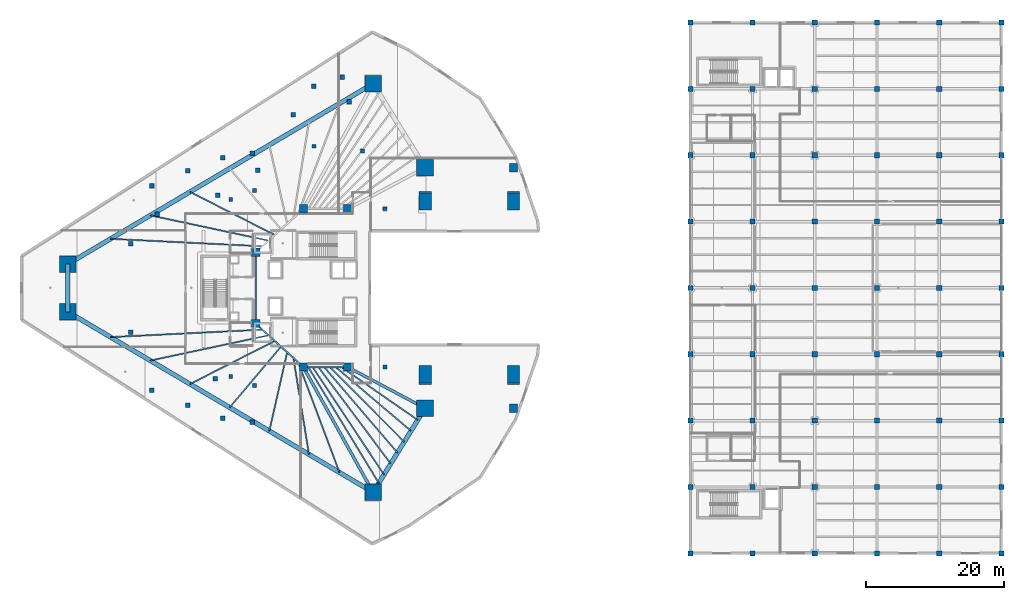
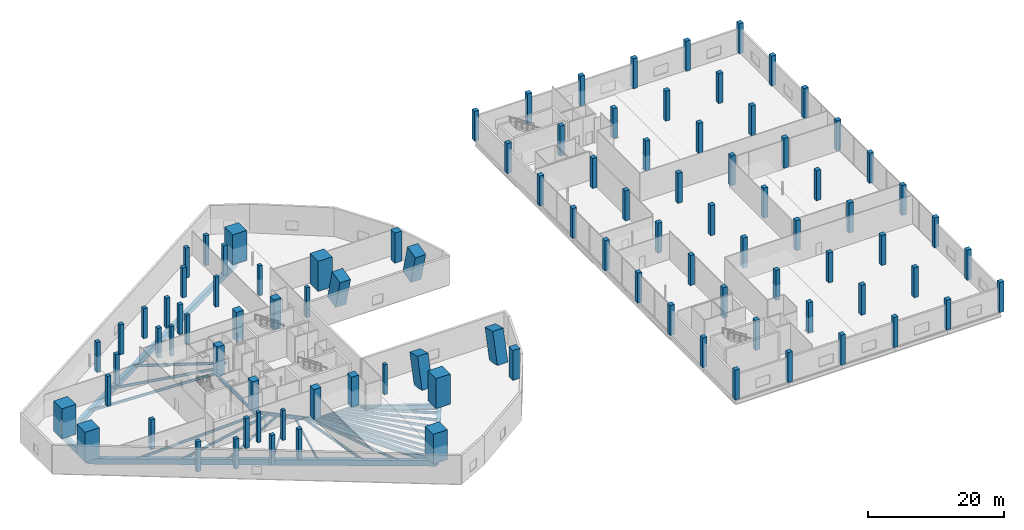
# One storey, part 1 of 47: 98 columns, 26 beams.
"""IFC4 building model written with IfcOpenShell, lengths in metres."""

from ifc_helpers import new_model, si_unit, direction, frame, origin, origin_2d, place, context, subcontext, project, spatial, rectangle, i_section, extrude, material, material_profile, profile_set, type_object, element, save


model = new_model("IFC4")

# Units and contexts
model_context = context("Model", 3, precision=1e-05, world=origin(), true_north=direction((0.0, 1.0)))
body_context = subcontext(model_context, "Body", "Model", "MODEL_VIEW")
ifc_project = project(units=[si_unit("LENGTHUNIT", "METRE"), si_unit("AREAUNIT", "SQUARE_METRE"), si_unit("VOLUMEUNIT", "CUBIC_METRE"), si_unit("PLANEANGLEUNIT", "RADIAN"), si_unit("MASSUNIT", "GRAM", prefix="KILO")], contexts=[model_context])

# Site, building, storey
site_placement = place(None, origin())
site = spatial("IfcSite", under=ifc_project, at=site_placement, CompositionType="ELEMENT")
building_placement = place(site_placement, origin())
building = spatial("IfcBuilding", under=site, at=building_placement, Name="Qorvath Tower", CompositionType="ELEMENT")
storey_placement = place(building_placement, frame((0.0, 0.0, 6.60009765625)))
storey = spatial("IfcBuildingStorey", under=building, at=storey_placement, Name="L01", CompositionType="ELEMENT", Elevation=6.60009765625)

# Columns
ifc_material_1 = material(Name="Concrete C70/85", Category="concrete")
ifc_material_profile_1 = material_profile(ifc_material_1, rectangle(XDim=1.800048828125, YDim=2.39990234375, at=origin_2d()), Name="ARCH 2400x1800")
ifc_profile_set_1 = profile_set([ifc_material_profile_1], Name="Concrete C70/85")
column_type_1 = type_object("IfcColumnType", Name="COL-ARCH1", PredefinedType="PILASTER", material=ifc_profile_set_1)
for number, where, z_axis, x_axis, name in (
    (1, (6.800048828125, 12.7861328125, 0.05322265625), (0.0, -0.250951313055, 0.967999709956), (1.0, 0.0, 0.0), "Giant Concrete Arch Rib Chord ARCH-FRONT-N-L01"),
    (2, (6.800048828125, -12.7861328125, 0.05322265625), (0.0, 0.250951313055, 0.967999709956), (-1.0, 0.0, 0.0), "Giant Concrete Arch Rib Chord ARCH-FRONT-S-L01"),
    (3, (-6.0, 12.7861328125, 0.05322265625), (0.0, -0.250951313055, 0.967999709956), (1.0, 0.0, 0.0), "Giant Concrete Arch Rib Chord ARCH-INNER-N-L01"),
    (4, (-6.0, -12.7861328125, 0.05322265625), (0.0, 0.250951313055, 0.967999709956), (-1.0, 0.0, 0.0), "Giant Concrete Arch Rib Chord ARCH-INNER-S-L01"),
):
    element("IfcColumn", number, at=place(storey_placement, frame(where, z_axis=z_axis, x_axis=x_axis)), inside=storey, type_object=column_type_1, Name=name, PredefinedType="PILASTER", context=body_context, shape_type="SweptSolid", body=[
        extrude(rectangle(XDim=1.800048828125, YDim=2.39990234375, at=origin_2d()), origin(), (0.0, 0.0, 1.0), 5.468505859375),
    ])
ifc_material_2 = material(Name="Concrete C70/85", Category="concrete")
ifc_material_profile_2 = material_profile(ifc_material_2, rectangle(XDim=2.39990234375, YDim=2.39990234375, at=origin_2d()), Name="MC 2400x2400")
ifc_profile_set_2 = profile_set([ifc_material_profile_2], Name="Concrete C70/85")
column_type_2 = type_object("IfcColumnType", Name="COL-MC1", PredefinedType="COLUMN", material=ifc_profile_set_2)
for number, where, z_axis, x_axis, name in (
    (5, (-57.679931640625, 3.4560546875, 0.0), (0.0, 0.0, 1.0), (1.0, 0.0, 0.0), "Composite Mega-Column MC1 L01"),
    (6, (-57.679931640625, -3.4560546875, 0.0), (0.0, 0.0, 1.0), (1.0, 0.0, 0.0), "Composite Mega-Column MC2 L01"),
    (7, (-13.52001953125, -29.568115234375, 0.0), (0.0, 0.0, 1.0), (1.0, 0.0, 0.0), "Composite Mega-Column MC3 L01"),
    (8, (-6.0, -17.39990234375, 0.0), (0.0, 0.0, 1.0), (1.0, 0.0, 0.0), "Composite Mega-Column MC4 L01"),
    (9, (-6.0, 17.39990234375, 0.0), (0.0, 0.0, 1.0), (1.0, 0.0, 0.0), "Composite Mega-Column MC5 L01"),
    (10, (-13.52001953125, 29.568115234375, 0.0), (0.0, 0.0, 1.0), (1.0, 0.0, 0.0), "Composite Mega-Column MC6 L01"),
):
    element("IfcColumn", number, at=place(storey_placement, frame(where, z_axis=z_axis, x_axis=x_axis)), inside=storey, type_object=column_type_2, Name=name, PredefinedType="COLUMN", context=body_context, shape_type="SweptSolid", body=[
        extrude(rectangle(XDim=2.39990234375, YDim=2.39990234375, at=origin_2d()), origin(), (0.0, 0.0, 1.0), 5.39990234375),
    ])
ifc_material_3 = material(Name="Concrete C60/75", Category="concrete")
ifc_material_profile_3 = material_profile(ifc_material_3, rectangle(XDim=1.199951171875, YDim=1.199951171875, at=origin_2d()), Name="RC 1200x1200")
ifc_profile_set_3 = profile_set([ifc_material_profile_3], Name="Concrete C60/75")
column_type_3 = type_object("IfcColumnType", Name="COL-RC1", PredefinedType="COLUMN", material=ifc_profile_set_3)
for number, where, z_axis, x_axis, name in (
    (11, (6.800048828125, 17.39990234375, 0.0), (0.0, 0.0, 1.0), (1.0, 0.0, 0.0), "Arch Portal Pier FRONT-N L01"),
    (12, (6.800048828125, -17.39990234375, 0.0), (0.0, 0.0, 1.0), (1.0, 0.0, 0.0), "Arch Portal Pier FRONT-S L01"),
    (13, (-23.60009765625, 11.449951171875, 0.0), (0.0, 0.0, 1.0), (1.0, 0.0, 0.0), "Core Spine Column CC1 L01"),
    (14, (-17.199951171875, 11.449951171875, 0.0), (0.0, 0.0, 1.0), (1.0, 0.0, 0.0), "Core Spine Column CC2 L01"),
    (15, (-17.199951171875, -11.449951171875, 0.0), (0.0, 0.0, 1.0), (1.0, 0.0, 0.0), "Core Spine Column CC3 L01"),
    (16, (-23.60009765625, -11.449951171875, 0.0), (0.0, 0.0, 1.0), (1.0, 0.0, 0.0), "Core Spine Column CC4 L01"),
    (17, (-30.5, 5.14990234375, 0.0), (0.0, 0.0, 1.0), (1.0, 0.0, 0.0), "Core Spine Column CC5 L01"),
    (18, (-30.5, -5.14990234375, 0.0), (0.0, 0.0, 1.0), (1.0, 0.0, 0.0), "Core Spine Column CC6 L01"),
):
    element("IfcColumn", number, at=place(storey_placement, frame(where, z_axis=z_axis, x_axis=x_axis)), inside=storey, type_object=column_type_3, Name=name, PredefinedType="COLUMN", context=body_context, shape_type="SweptSolid", body=[
        extrude(rectangle(XDim=1.199951171875, YDim=1.199951171875, at=origin_2d()), origin(), (0.0, 0.0, 1.0), 5.39990234375),
    ])
ifc_material_4 = material(Name="Concrete C45/55", Category="concrete")
ifc_material_profile_4 = material_profile(ifc_material_4, rectangle(XDim=0.75, YDim=0.75, at=origin_2d()), Name="RC 750x750")
ifc_profile_set_4 = profile_set([ifc_material_profile_4], Name="Concrete C45/55")
column_type_4 = type_object("IfcColumnType", Name="COL-RC5", PredefinedType="COLUMN", material=ifc_profile_set_4)
for number, where, z_axis, x_axis, name in (
    (19, (32.39990234375, -38.39990234375, 0.0), (0.0, 0.0, 1.0), (1.0, 0.0, 0.0), "Library Column 1-1 L01"),
    (20, (32.39990234375, -28.800048828125, 0.0), (0.0, 0.0, 1.0), (1.0, 0.0, 0.0), "Library Column 1-2 L01"),
    (21, (32.39990234375, -19.199951171875, 0.0), (0.0, 0.0, 1.0), (1.0, 0.0, 0.0), "Library Column 1-3 L01"),
    (22, (32.39990234375, -9.60009765625, 0.0), (0.0, 0.0, 1.0), (1.0, 0.0, 0.0), "Library Column 1-4 L01"),
    (23, (32.39990234375, 0.0, 0.0), (0.0, 0.0, 1.0), (1.0, 0.0, 0.0), "Library Column 1-5 L01"),
    (24, (32.39990234375, 9.60009765625, 0.0), (0.0, 0.0, 1.0), (1.0, 0.0, 0.0), "Library Column 1-6 L01"),
    (25, (32.39990234375, 19.199951171875, 0.0), (0.0, 0.0, 1.0), (1.0, 0.0, 0.0), "Library Column 1-7 L01"),
    (26, (32.39990234375, 28.800048828125, 0.0), (0.0, 0.0, 1.0), (1.0, 0.0, 0.0), "Library Column 1-8 L01"),
    (27, (32.39990234375, 38.39990234375, 0.0), (0.0, 0.0, 1.0), (1.0, 0.0, 0.0), "Library Column 1-9 L01"),
    (28, (41.39990234375, -38.39990234375, 0.0), (0.0, 0.0, 1.0), (1.0, 0.0, 0.0), "Library Column 2-1 L01"),
    (29, (41.39990234375, -28.800048828125, 0.0), (0.0, 0.0, 1.0), (1.0, 0.0, 0.0), "Library Column 2-2 L01"),
    (30, (41.39990234375, -19.199951171875, 0.0), (0.0, 0.0, 1.0), (1.0, 0.0, 0.0), "Library Column 2-3 L01"),
    (31, (41.39990234375, -9.60009765625, 0.0), (0.0, 0.0, 1.0), (1.0, 0.0, 0.0), "Library Column 2-4 L01"),
    (32, (41.39990234375, 0.0, 0.0), (0.0, 0.0, 1.0), (1.0, 0.0, 0.0), "Library Column 2-5 L01"),
    (33, (41.39990234375, 9.60009765625, 0.0), (0.0, 0.0, 1.0), (1.0, 0.0, 0.0), "Library Column 2-6 L01"),
    (34, (41.39990234375, 19.199951171875, 0.0), (0.0, 0.0, 1.0), (1.0, 0.0, 0.0), "Library Column 2-7 L01"),
    (35, (41.39990234375, 28.800048828125, 0.0), (0.0, 0.0, 1.0), (1.0, 0.0, 0.0), "Library Column 2-8 L01"),
    (36, (41.39990234375, 38.39990234375, 0.0), (0.0, 0.0, 1.0), (1.0, 0.0, 0.0), "Library Column 2-9 L01"),
    (37, (50.39990234375, -38.39990234375, 0.0), (0.0, 0.0, 1.0), (1.0, 0.0, 0.0), "Library Column 3-1 L01"),
    (38, (50.39990234375, -28.800048828125, 0.0), (0.0, 0.0, 1.0), (1.0, 0.0, 0.0), "Library Column 3-2 L01"),
    (39, (50.39990234375, -19.199951171875, 0.0), (0.0, 0.0, 1.0), (1.0, 0.0, 0.0), "Library Column 3-3 L01"),
    (40, (50.39990234375, -9.60009765625, 0.0), (0.0, 0.0, 1.0), (1.0, 0.0, 0.0), "Library Column 3-4 L01"),
    (41, (50.39990234375, 0.0, 0.0), (0.0, 0.0, 1.0), (1.0, 0.0, 0.0), "Library Column 3-5 L01"),
    (42, (50.39990234375, 9.60009765625, 0.0), (0.0, 0.0, 1.0), (1.0, 0.0, 0.0), "Library Column 3-6 L01"),
    (43, (50.39990234375, 19.199951171875, 0.0), (0.0, 0.0, 1.0), (1.0, 0.0, 0.0), "Library Column 3-7 L01"),
    (44, (50.39990234375, 28.800048828125, 0.0), (0.0, 0.0, 1.0), (1.0, 0.0, 0.0), "Library Column 3-8 L01"),
    (45, (50.39990234375, 38.39990234375, 0.0), (0.0, 0.0, 1.0), (1.0, 0.0, 0.0), "Library Column 3-9 L01"),
    (46, (59.39990234375, -38.39990234375, 0.0), (0.0, 0.0, 1.0), (1.0, 0.0, 0.0), "Library Column 4-1 L01"),
    (47, (59.39990234375, -28.800048828125, 0.0), (0.0, 0.0, 1.0), (1.0, 0.0, 0.0), "Library Column 4-2 L01"),
    (48, (59.39990234375, -19.199951171875, 0.0), (0.0, 0.0, 1.0), (1.0, 0.0, 0.0), "Library Column 4-3 L01"),
    (49, (59.39990234375, -9.60009765625, 0.0), (0.0, 0.0, 1.0), (1.0, 0.0, 0.0), "Library Column 4-4 L01"),
    (50, (59.39990234375, 0.0, 0.0), (0.0, 0.0, 1.0), (1.0, 0.0, 0.0), "Library Column 4-5 L01"),
    (51, (59.39990234375, 9.60009765625, 0.0), (0.0, 0.0, 1.0), (1.0, 0.0, 0.0), "Library Column 4-6 L01"),
    (52, (59.39990234375, 19.199951171875, 0.0), (0.0, 0.0, 1.0), (1.0, 0.0, 0.0), "Library Column 4-7 L01"),
    (53, (59.39990234375, 28.800048828125, 0.0), (0.0, 0.0, 1.0), (1.0, 0.0, 0.0), "Library Column 4-8 L01"),
    (54, (59.39990234375, 38.39990234375, 0.0), (0.0, 0.0, 1.0), (1.0, 0.0, 0.0), "Library Column 4-9 L01"),
    (55, (68.39990234375, -38.39990234375, 0.0), (0.0, 0.0, 1.0), (1.0, 0.0, 0.0), "Library Column 5-1 L01"),
    (56, (68.39990234375, -28.800048828125, 0.0), (0.0, 0.0, 1.0), (1.0, 0.0, 0.0), "Library Column 5-2 L01"),
    (57, (68.39990234375, -19.199951171875, 0.0), (0.0, 0.0, 1.0), (1.0, 0.0, 0.0), "Library Column 5-3 L01"),
    (58, (68.39990234375, -9.60009765625, 0.0), (0.0, 0.0, 1.0), (1.0, 0.0, 0.0), "Library Column 5-4 L01"),
    (59, (68.39990234375, 0.0, 0.0), (0.0, 0.0, 1.0), (1.0, 0.0, 0.0), "Library Column 5-5 L01"),
    (60, (68.39990234375, 9.60009765625, 0.0), (0.0, 0.0, 1.0), (1.0, 0.0, 0.0), "Library Column 5-6 L01"),
    (61, (68.39990234375, 19.199951171875, 0.0), (0.0, 0.0, 1.0), (1.0, 0.0, 0.0), "Library Column 5-7 L01"),
    (62, (68.39990234375, 28.800048828125, 0.0), (0.0, 0.0, 1.0), (1.0, 0.0, 0.0), "Library Column 5-8 L01"),
    (63, (68.39990234375, 38.39990234375, 0.0), (0.0, 0.0, 1.0), (1.0, 0.0, 0.0), "Library Column 5-9 L01"),
    (64, (77.39990234375, -38.39990234375, 0.0), (0.0, 0.0, 1.0), (1.0, 0.0, 0.0), "Library Column 6-1 L01"),
    (65, (77.39990234375, -28.800048828125, 0.0), (0.0, 0.0, 1.0), (1.0, 0.0, 0.0), "Library Column 6-2 L01"),
    (66, (77.39990234375, -19.199951171875, 0.0), (0.0, 0.0, 1.0), (1.0, 0.0, 0.0), "Library Column 6-3 L01"),
    (67, (77.39990234375, -9.60009765625, 0.0), (0.0, 0.0, 1.0), (1.0, 0.0, 0.0), "Library Column 6-4 L01"),
    (68, (77.39990234375, 0.0, 0.0), (0.0, 0.0, 1.0), (1.0, 0.0, 0.0), "Library Column 6-5 L01"),
    (69, (77.39990234375, 9.60009765625, 0.0), (0.0, 0.0, 1.0), (1.0, 0.0, 0.0), "Library Column 6-6 L01"),
    (70, (77.39990234375, 19.199951171875, 0.0), (0.0, 0.0, 1.0), (1.0, 0.0, 0.0), "Library Column 6-7 L01"),
    (71, (77.39990234375, 28.800048828125, 0.0), (0.0, 0.0, 1.0), (1.0, 0.0, 0.0), "Library Column 6-8 L01"),
    (72, (77.39990234375, 38.39990234375, 0.0), (0.0, 0.0, 1.0), (1.0, 0.0, 0.0), "Library Column 6-9 L01"),
):
    element("IfcColumn", number, at=place(storey_placement, frame(where, z_axis=z_axis, x_axis=x_axis)), inside=storey, type_object=column_type_4, Name=name, PredefinedType="COLUMN", context=body_context, shape_type="SweptSolid", body=[
        extrude(rectangle(XDim=0.75, YDim=0.75, at=origin_2d()), origin(), (0.0, 0.0, 1.0), 5.39990234375),
    ])
ifc_material_5 = material(Name="Concrete C45/55", Category="concrete")
ifc_material_profile_5 = material_profile(ifc_material_5, rectangle(XDim=0.64990234375, YDim=0.64990234375, at=origin_2d()), Name="RC 650x650")
ifc_profile_set_5 = profile_set([ifc_material_profile_5], Name="Concrete C45/55")
column_type_5 = type_object("IfcColumnType", Name="COL-RC6", PredefinedType="COLUMN", material=ifc_profile_set_5)
for number, where, z_axis, x_axis, name in (
    (73, (-45.536376953125, 14.774658203125, 0.0), (0.0, 0.0, 1.0), (1.0, 0.0, 0.0), "Loggia Frame Pier Column LGA1 L01"),
    (74, (-45.536376953125, -14.774658203125, 0.0), (0.0, 0.0, 1.0), (1.0, 0.0, 0.0), "Loggia Frame Pier Column LGA2 L01"),
    (75, (-22.13134765625, 29.20556640625, 0.0), (0.0, 0.0, 1.0), (1.0, 0.0, 0.0), "Loggia Frame Pier Column LGA3 L01"),
    (76, (-40.33251953125, 16.955810546875, 0.0), (0.0, 0.0, 1.0), (1.0, 0.0, 0.0), "Loggia Frame Pier Column LGB1 L01"),
    (77, (-40.33251953125, -16.955810546875, 0.0), (0.0, 0.0, 1.0), (1.0, 0.0, 0.0), "Loggia Frame Pier Column LGB2 L01"),
    (78, (-18.0, 30.5, 0.0), (0.0, 0.0, 1.0), (1.0, 0.0, 0.0), "Loggia Frame Pier Column LGB3 L01"),
    (79, (-35.251708984375, 18.829345703125, 0.0), (0.0, 0.0, 1.0), (1.0, 0.0, 0.0), "Loggia Frame Pier Column LGC1 L01"),
    (80, (-35.251708984375, -18.829345703125, 0.0), (0.0, 0.0, 1.0), (1.0, 0.0, 0.0), "Loggia Frame Pier Column LGC2 L01"),
    (81, (-25.03759765625, 25.058837890625, 0.0), (0.0, 0.0, 1.0), (1.0, 0.0, 0.0), "Loggia Frame Pier Column LGC3 L01"),
    (82, (-31.01611328125, 19.46044921875, 0.0), (0.0, 0.0, 1.0), (1.0, 0.0, 0.0), "Loggia Frame Pier Column LGD1 L01"),
    (83, (-31.01611328125, -19.46044921875, 0.0), (0.0, 0.0, 1.0), (1.0, 0.0, 0.0), "Loggia Frame Pier Column LGD2 L01"),
    (84, (-44.736328125, 10.65234375, 0.0), (0.0, 0.0, 1.0), (1.0, 0.0, 0.0), "Loggia Frame Pier Column LGD3 L01"),
    (85, (-48.578369140625, 6.424560546875, 0.0), (0.0, 0.0, 1.0), (1.0, 0.0, 0.0), "Loggia Frame Pier Column LGE1 L01"),
    (86, (-48.578369140625, -6.424560546875, 0.0), (0.0, 0.0, 1.0), (1.0, 0.0, 0.0), "Loggia Frame Pier Column LGE2 L01"),
    (87, (-16.981201171875, 26.92919921875, 0.0), (0.0, 0.0, 1.0), (1.0, 0.0, 0.0), "Loggia Frame Pier Column LGE3 L01"),
    (88, (-35.980712890625, 13.380859375, 0.0), (0.0, 0.0, 1.0), (1.0, 0.0, 0.0), "Loggia Frame Pier Column LGF1 L01"),
    (89, (-36.36474609375, -13.135498046875, 0.0), (0.0, 0.0, 1.0), (1.0, 0.0, 0.0), "Loggia Frame Pier Column LGF2 L01"),
    (90, (-30.224853515625, 17.0595703125, 0.0), (0.0, 0.0, 1.0), (1.0, 0.0, 0.0), "Loggia Frame Pier Column LGF3 L01"),
):
    element("IfcColumn", number, at=place(storey_placement, frame(where, z_axis=z_axis, x_axis=x_axis)), inside=storey, type_object=column_type_5, Name=name, PredefinedType="COLUMN", context=body_context, shape_type="SweptSolid", body=[
        extrude(rectangle(XDim=0.64990234375, YDim=0.64990234375, at=origin_2d()), origin(), (0.0, 0.0, 1.0), 5.39990234375),
    ])
ifc_material_6 = material(Name="Concrete C45/55", Category="concrete")
ifc_material_profile_6 = material_profile(ifc_material_6, rectangle(XDim=0.550048828125, YDim=0.550048828125, at=origin_2d()), Name="RC 550x550")
ifc_profile_set_6 = profile_set([ifc_material_profile_6], Name="Concrete C45/55")
column_type_6 = type_object("IfcColumnType", Name="COL-RC7", PredefinedType="COLUMN", material=ifc_profile_set_6)
for number, where, z_axis, x_axis, name in (
    (91, (-34.104248046875, 12.79248046875, 0.0), (0.0, 0.0, 1.0), (1.0, 0.0, 0.0), "Loggia Frame Pier Column LGG1 L01"),
    (92, (-34.104248046875, -12.79248046875, 0.0), (0.0, 0.0, 1.0), (1.0, 0.0, 0.0), "Loggia Frame Pier Column LGG2 L01"),
    (93, (-22.05322265625, 20.494873046875, 0.0), (0.0, 0.0, 1.0), (1.0, 0.0, 0.0), "Loggia Frame Pier Column LGG3 L01"),
    (94, (-30.67724609375, 14.124267578125, 0.0), (0.0, 0.0, 1.0), (1.0, 0.0, 0.0), "Loggia Frame Pier Column LGH1 L01"),
    (95, (-30.67724609375, -14.124267578125, 0.0), (0.0, 0.0, 1.0), (1.0, 0.0, 0.0), "Loggia Frame Pier Column LGH2 L01"),
    (96, (-15.046142578125, 19.818115234375, 0.0), (0.0, 0.0, 1.0), (1.0, 0.0, 0.0), "Loggia Frame Pier Column LGH3 L01"),
    (97, (-11.800048828125, -11.449951171875, 0.0), (0.0, 0.0, 1.0), (1.0, 0.0, 0.0), "Central Slot Jamb Column SC1 L01"),
    (98, (-11.800048828125, 11.449951171875, 0.0), (0.0, 0.0, 1.0), (1.0, 0.0, 0.0), "Central Slot Jamb Column SC2 L01"),
):
    element("IfcColumn", number, at=place(storey_placement, frame(where, z_axis=z_axis, x_axis=x_axis)), inside=storey, type_object=column_type_6, Name=name, PredefinedType="COLUMN", context=body_context, shape_type="SweptSolid", body=[
        extrude(rectangle(XDim=0.550048828125, YDim=0.550048828125, at=origin_2d()), origin(), (0.0, 0.0, 1.0), 5.39990234375),
    ])

# Beams
ifc_material_7 = material(Name="Steel ASTM A992 Grade 50", Category="steel")
ifc_material_profile_7 = material_profile(ifc_material_7, i_section(OverallWidth=0.422119140625, OverallDepth=0.93310546875, WebThickness=0.021240234375, FlangeThickness=0.039794921875, FilletRadius=0.02392578125, at=origin_2d()), Name="W36x262")
ifc_profile_set_7 = profile_set([ifc_material_profile_7], Name="Steel ASTM A992 Grade 50")
beam_type_1 = type_object("IfcBeamType", Name="BM-FG1", PredefinedType="BEAM", material=ifc_profile_set_7)
beam_1_placement = place(storey_placement, frame((-17.199951171875, -11.449951171875, -0.7265625), z_axis=(0.883116467191, -0.469153818461, 0.0), x_axis=(0.469153818461, 0.883116467191, 0.0)))
element("IfcBeam", 99, at=beam_1_placement, inside=storey, type_object=beam_type_1, Name="Radial Floor Girder CC3-MC4 L01", PredefinedType="BEAM", context=body_context, shape_type="SweptSolid", body=[
    extrude(i_section(OverallWidth=0.422119140625, OverallDepth=0.93310546875, WebThickness=0.021240234375, FlangeThickness=0.039794921875, FilletRadius=0.02392578125, at=origin_2d()), origin(), (0.0, 0.0, 1.0), 12.682373046875),
])
beam_2_placement = place(storey_placement, frame((-23.60009765625, -11.449951171875, -0.7265625), z_axis=(0.486174725137, -0.873861623278, 0.0), x_axis=(0.873861623278, 0.486174725137, 0.0)))
element("IfcBeam", 100, at=beam_2_placement, inside=storey, type_object=beam_type_1, Name="Radial Floor Girder CC4-MC3 L01", PredefinedType="BEAM", context=body_context, shape_type="SweptSolid", body=[
    extrude(i_section(OverallWidth=0.422119140625, OverallDepth=0.93310546875, WebThickness=0.021240234375, FlangeThickness=0.039794921875, FilletRadius=0.02392578125, at=origin_2d()), origin(), (0.0, 0.0, 1.0), 20.7333984375),
])
ifc_material_8 = material(Name="Steel ASTM A992 Grade 50", Category="steel")
ifc_material_profile_8 = material_profile(ifc_material_8, i_section(OverallWidth=0.22998046875, OverallDepth=0.616943359375, WebThickness=0.01318359375, FlangeThickness=0.022216796875, FilletRadius=0.014892578125, at=origin_2d()), Name="W24x94")
ifc_profile_set_8 = profile_set([ifc_material_profile_8], Name="Steel ASTM A992 Grade 50")
beam_type_2 = type_object("IfcBeamType", Name="BM-FG6", PredefinedType="BEAM", material=ifc_profile_set_8)
beam_3_placement = place(storey_placement, frame((-17.199951171875, -11.449951171875, -0.568603515625), z_axis=(-1.0, 0.0, 0.0), x_axis=(0.0, -1.0, 0.0)))
element("IfcBeam", 101, at=beam_3_placement, inside=storey, type_object=beam_type_2, Name="Core Ring Girder CC3-CC4 L01", PredefinedType="BEAM", context=body_context, shape_type="SweptSolid", body=[
    extrude(i_section(OverallWidth=0.22998046875, OverallDepth=0.616943359375, WebThickness=0.01318359375, FlangeThickness=0.022216796875, FilletRadius=0.014892578125, at=origin_2d()), origin(), (0.0, 0.0, 1.0), 6.400146484375),
])
beam_4_placement = place(storey_placement, frame((-23.60009765625, -11.449951171875, -0.568603515625), z_axis=(-0.73847813985, 0.6742774184, 0.0), x_axis=(-0.6742774184, -0.73847813985, 0.0)))
element("IfcBeam", 102, at=beam_4_placement, inside=storey, type_object=beam_type_2, Name="Core Ring Girder CC4-CC6 L01", PredefinedType="BEAM", context=body_context, shape_type="SweptSolid", body=[
    extrude(i_section(OverallWidth=0.22998046875, OverallDepth=0.616943359375, WebThickness=0.01318359375, FlangeThickness=0.022216796875, FilletRadius=0.014892578125, at=origin_2d()), origin(), (0.0, 0.0, 1.0), 9.343505859375),
])
beam_5_placement = place(storey_placement, frame((-30.5, -5.14990234375, -0.568603515625), z_axis=(0.0, 1.0, 0.0), x_axis=(-1.0, 0.0, 0.0)))
element("IfcBeam", 103, at=beam_5_placement, inside=storey, type_object=beam_type_2, Name="Core Ring Girder CC6-CC5 L01", PredefinedType="BEAM", context=body_context, shape_type="SweptSolid", body=[
    extrude(i_section(OverallWidth=0.22998046875, OverallDepth=0.616943359375, WebThickness=0.01318359375, FlangeThickness=0.022216796875, FilletRadius=0.014892578125, at=origin_2d()), origin(), (0.0, 0.0, 1.0), 10.2998046875),
])
ifc_material_9 = material(Name="Steel ASTM A992 Grade 50", Category="steel")
ifc_material_profile_9 = material_profile(ifc_material_9, i_section(OverallWidth=0.18994140625, OverallDepth=0.45703125, WebThickness=0.009033203125, FlangeThickness=0.014404296875, FilletRadius=0.011962890625, at=origin_2d()), Name="W18x50")
ifc_profile_set_9 = profile_set([ifc_material_profile_9], Name="Steel ASTM A992 Grade 50")
beam_type_3 = type_object("IfcBeamType", Name="BM-FJ2", PredefinedType="JOIST", material=ifc_profile_set_9)
beam_6_placement = place(storey_placement, frame((-18.095947265625, -11.449951171875, -0.488525390625), z_axis=(0.821904266501, -0.569625646111, 0.0), x_axis=(0.569625646111, 0.821904266501, 0.0)))
element("IfcBeam", 104, at=beam_6_placement, inside=storey, type_object=beam_type_3, Name="Composite Floor Joist SE1 L01", PredefinedType="JOIST", context=body_context, shape_type="SweptSolid", body=[
    extrude(i_section(OverallWidth=0.18994140625, OverallDepth=0.45703125, WebThickness=0.009033203125, FlangeThickness=0.014404296875, FilletRadius=0.011962890625, at=origin_2d()), origin(), (0.0, 0.0, 1.0), 13.43603515625),
])
beam_7_placement = place(storey_placement, frame((-18.927978515625, -11.449951171875, -0.488525390625), z_axis=(0.762888170757, -0.646530462483, 0.0), x_axis=(0.646530462483, 0.762888170757, 0.0)))
element("IfcBeam", 105, at=beam_7_placement, inside=storey, type_object=beam_type_3, Name="Composite Floor Joist SE2 L01", PredefinedType="JOIST", context=body_context, shape_type="SweptSolid", body=[
    extrude(i_section(OverallWidth=0.18994140625, OverallDepth=0.45703125, WebThickness=0.009033203125, FlangeThickness=0.014404296875, FilletRadius=0.011962890625, at=origin_2d()), origin(), (0.0, 0.0, 1.0), 14.284423828125),
])
beam_8_placement = place(storey_placement, frame((-19.760009765625, -11.449951171875, -0.488525390625), z_axis=(0.704966562097, -0.709240541935, 0.0), x_axis=(0.709240541935, 0.704966562097, 0.0)))
element("IfcBeam", 106, at=beam_8_placement, inside=storey, type_object=beam_type_3, Name="Composite Floor Joist SE3 L01", PredefinedType="JOIST", context=body_context, shape_type="SweptSolid", body=[
    extrude(i_section(OverallWidth=0.18994140625, OverallDepth=0.45703125, WebThickness=0.009033203125, FlangeThickness=0.014404296875, FilletRadius=0.011962890625, at=origin_2d()), origin(), (0.0, 0.0, 1.0), 15.251708984375),
])
beam_9_placement = place(storey_placement, frame((-20.592041015625, -11.449951171875, -0.488525390625), z_axis=(0.650034471724, -0.759904721376, 0.0), x_axis=(0.759904721376, 0.650034471724, 0.0)))
element("IfcBeam", 107, at=beam_9_placement, inside=storey, type_object=beam_type_3, Name="Composite Floor Joist SE4 L01", PredefinedType="JOIST", context=body_context, shape_type="SweptSolid", body=[
    extrude(i_section(OverallWidth=0.18994140625, OverallDepth=0.45703125, WebThickness=0.009033203125, FlangeThickness=0.014404296875, FilletRadius=0.011962890625, at=origin_2d()), origin(), (0.0, 0.0, 1.0), 16.316650390625),
])
beam_10_placement = place(storey_placement, frame((-21.424072265625, -11.449951171875, -0.488525390625), z_axis=(0.599091356813, -0.800680676794, 0.0), x_axis=(0.800680676794, 0.599091356813, 0.0)))
element("IfcBeam", 108, at=beam_10_placement, inside=storey, type_object=beam_type_3, Name="Composite Floor Joist SE5 L01", PredefinedType="JOIST", context=body_context, shape_type="SweptSolid", body=[
    extrude(i_section(OverallWidth=0.18994140625, OverallDepth=0.45703125, WebThickness=0.009033203125, FlangeThickness=0.014404296875, FilletRadius=0.011962890625, at=origin_2d()), origin(), (0.0, 0.0, 1.0), 17.46142578125),
])
beam_11_placement = place(storey_placement, frame((-22.256103515625, -11.449951171875, -0.488525390625), z_axis=(0.552474288131, -0.833529940047, 0.0), x_axis=(0.833529940047, 0.552474288131, 0.0)))
element("IfcBeam", 109, at=beam_11_placement, inside=storey, type_object=beam_type_3, Name="Composite Floor Joist SE6 L01", PredefinedType="JOIST", context=body_context, shape_type="SweptSolid", body=[
    extrude(i_section(OverallWidth=0.18994140625, OverallDepth=0.45703125, WebThickness=0.009033203125, FlangeThickness=0.014404296875, FilletRadius=0.011962890625, at=origin_2d()), origin(), (0.0, 0.0, 1.0), 18.6708984375),
])
beam_12_placement = place(storey_placement, frame((-22.89599609375, -11.449951171875, -0.488525390625), z_axis=(0.519556443318, -0.854436131145, 0.0), x_axis=(0.854436131145, 0.519556443318, 0.0)))
element("IfcBeam", 110, at=beam_12_placement, inside=storey, type_object=beam_type_3, Name="Composite Floor Joist SE7 L01", PredefinedType="JOIST", context=body_context, shape_type="SweptSolid", body=[
    extrude(i_section(OverallWidth=0.18994140625, OverallDepth=0.45703125, WebThickness=0.009033203125, FlangeThickness=0.014404296875, FilletRadius=0.011962890625, at=origin_2d()), origin(), (0.0, 0.0, 1.0), 19.63818359375),
])
beam_13_placement = place(storey_placement, frame((-29.533935546875, 6.031982421875, -0.488525390625), z_axis=(-0.998794149334, 0.04909426907, 0.0), x_axis=(-0.04909426907, -0.998794149334, 0.0)))
element("IfcBeam", 111, at=beam_13_placement, inside=storey, type_object=beam_type_3, Name="Composite Floor Joist NW1 L01", PredefinedType="JOIST", context=body_context, shape_type="SweptSolid", body=[
    extrude(i_section(OverallWidth=0.18994140625, OverallDepth=0.45703125, WebThickness=0.009033203125, FlangeThickness=0.014404296875, FilletRadius=0.011962890625, at=origin_2d()), origin(), (0.0, 0.0, 1.0), 21.990234375),
])
beam_14_placement = place(storey_placement, frame((-28.636962890625, 6.85107421875, -0.488525390625), z_axis=(-0.977957459776, 0.208804230962, 0.0), x_axis=(-0.208804230962, -0.977957459776, 0.0)))
element("IfcBeam", 112, at=beam_14_placement, inside=storey, type_object=beam_type_3, Name="Composite Floor Joist NW2 L01", PredefinedType="JOIST", context=body_context, shape_type="SweptSolid", body=[
    extrude(i_section(OverallWidth=0.18994140625, OverallDepth=0.45703125, WebThickness=0.009033203125, FlangeThickness=0.014404296875, FilletRadius=0.011962890625, at=origin_2d()), origin(), (0.0, 0.0, 1.0), 17.505859375),
])
beam_15_placement = place(storey_placement, frame((-27.739990234375, 7.669921875, -0.488525390625), z_axis=(-0.891711806986, 0.452603638166, 0.0), x_axis=(-0.452603638166, -0.891711806986, 0.0)))
element("IfcBeam", 113, at=beam_15_placement, inside=storey, type_object=beam_type_3, Name="Composite Floor Joist NW3 L01", PredefinedType="JOIST", context=body_context, shape_type="SweptSolid", body=[
    extrude(i_section(OverallWidth=0.18994140625, OverallDepth=0.45703125, WebThickness=0.009033203125, FlangeThickness=0.014404296875, FilletRadius=0.011962890625, at=origin_2d()), origin(), (0.0, 0.0, 1.0), 13.766845703125),
])
beam_16_placement = place(storey_placement, frame((-29.533935546875, -6.031982421875, -0.488525390625), z_axis=(-0.998794149334, -0.04909426907, 0.0), x_axis=(0.04909426907, -0.998794149334, 0.0)))
element("IfcBeam", 114, at=beam_16_placement, inside=storey, type_object=beam_type_3, Name="Composite Floor Joist SW1 L01", PredefinedType="JOIST", context=body_context, shape_type="SweptSolid", body=[
    extrude(i_section(OverallWidth=0.18994140625, OverallDepth=0.45703125, WebThickness=0.009033203125, FlangeThickness=0.014404296875, FilletRadius=0.011962890625, at=origin_2d()), origin(), (0.0, 0.0, 1.0), 21.990234375),
])
beam_17_placement = place(storey_placement, frame((-28.636962890625, -6.85107421875, -0.488525390625), z_axis=(-0.977957459776, -0.208804230962, 0.0), x_axis=(0.208804230962, -0.977957459776, 0.0)))
element("IfcBeam", 115, at=beam_17_placement, inside=storey, type_object=beam_type_3, Name="Composite Floor Joist SW2 L01", PredefinedType="JOIST", context=body_context, shape_type="SweptSolid", body=[
    extrude(i_section(OverallWidth=0.18994140625, OverallDepth=0.45703125, WebThickness=0.009033203125, FlangeThickness=0.014404296875, FilletRadius=0.011962890625, at=origin_2d()), origin(), (0.0, 0.0, 1.0), 17.505859375),
])
beam_18_placement = place(storey_placement, frame((-27.739990234375, -7.669921875, -0.488525390625), z_axis=(-0.891711806986, -0.452603638166, 0.0), x_axis=(0.452603638166, -0.891711806986, 0.0)))
element("IfcBeam", 116, at=beam_18_placement, inside=storey, type_object=beam_type_3, Name="Composite Floor Joist SW3 L01", PredefinedType="JOIST", context=body_context, shape_type="SweptSolid", body=[
    extrude(i_section(OverallWidth=0.18994140625, OverallDepth=0.45703125, WebThickness=0.009033203125, FlangeThickness=0.014404296875, FilletRadius=0.011962890625, at=origin_2d()), origin(), (0.0, 0.0, 1.0), 13.766845703125),
])
beam_19_placement = place(storey_placement, frame((-26.843017578125, -8.489013671875, -0.488525390625), z_axis=(-0.644958726494, -0.764217404355, 0.0), x_axis=(0.764217404355, -0.644958726494, 0.0)))
element("IfcBeam", 117, at=beam_19_placement, inside=storey, type_object=beam_type_3, Name="Composite Floor Joist SW4 L01", PredefinedType="JOIST", context=body_context, shape_type="SweptSolid", body=[
    extrude(i_section(OverallWidth=0.18994140625, OverallDepth=0.45703125, WebThickness=0.009033203125, FlangeThickness=0.014404296875, FilletRadius=0.011962890625, at=origin_2d()), origin(), (0.0, 0.0, 1.0), 11.5234375),
])
beam_20_placement = place(storey_placement, frame((-25.946044921875, -9.30810546875, -0.488525390625), z_axis=(-0.221751282053, -0.975103260639, 0.0), x_axis=(0.975103260639, -0.221751282053, 0.0)))
element("IfcBeam", 118, at=beam_20_placement, inside=storey, type_object=beam_type_3, Name="Composite Floor Joist SW5 L01", PredefinedType="JOIST", context=body_context, shape_type="SweptSolid", body=[
    extrude(i_section(OverallWidth=0.18994140625, OverallDepth=0.45703125, WebThickness=0.009033203125, FlangeThickness=0.014404296875, FilletRadius=0.011962890625, at=origin_2d()), origin(), (0.0, 0.0, 1.0), 11.67236328125),
])
beam_21_placement = place(storey_placement, frame((-25.049072265625, -10.126953125, -0.488525390625), z_axis=(0.159519083064, -0.987194845073, 0.0), x_axis=(0.987194845073, 0.159519083064, 0.0)))
element("IfcBeam", 119, at=beam_21_placement, inside=storey, type_object=beam_type_3, Name="Composite Floor Joist SW6 L01", PredefinedType="JOIST", context=body_context, shape_type="SweptSolid", body=[
    extrude(i_section(OverallWidth=0.18994140625, OverallDepth=0.45703125, WebThickness=0.009033203125, FlangeThickness=0.014404296875, FilletRadius=0.011962890625, at=origin_2d()), origin(), (0.0, 0.0, 1.0), 14.138671875),
])
beam_22_placement = place(storey_placement, frame((-24.35888671875, -10.757080078125, -0.488525390625), z_axis=(0.351338742889, -0.936248411344, 0.0), x_axis=(0.936248411344, 0.351338742889, 0.0)))
element("IfcBeam", 120, at=beam_22_placement, inside=storey, type_object=beam_type_3, Name="Composite Floor Joist SW7 L01", PredefinedType="JOIST", context=body_context, shape_type="SweptSolid", body=[
    extrude(i_section(OverallWidth=0.18994140625, OverallDepth=0.45703125, WebThickness=0.009033203125, FlangeThickness=0.014404296875, FilletRadius=0.011962890625, at=origin_2d()), origin(), (0.0, 0.0, 1.0), 17.02392578125),
])
ifc_material_10 = material(Name="Concrete C50/60", Category="concrete")
ifc_material_profile_10 = material_profile(ifc_material_10, rectangle(XDim=0.64990234375, YDim=1.0, at=origin_2d()), Name="RCB 1000x650")
ifc_profile_set_10 = profile_set([ifc_material_profile_10], Name="Concrete C50/60")
beam_type_4 = type_object("IfcBeamType", Name="BM-RCB1", PredefinedType="SPANDREL", material=ifc_profile_set_10)
beam_23_placement = place(storey_placement, frame((-57.679931640625, 3.4560546875, -0.760009765625), z_axis=(0.0, -1.0, 0.0), x_axis=(1.0, 0.0, 0.0)))
element("IfcBeam", 121, at=beam_23_placement, inside=storey, type_object=beam_type_4, Name="Perimeter Loggia Frame Beam MC1-MC2 L01", PredefinedType="SPANDREL", context=body_context, shape_type="SweptSolid", body=[
    extrude(rectangle(XDim=0.64990234375, YDim=1.0, at=origin_2d()), origin(), (0.0, 0.0, 1.0), 6.912109375),
])
beam_24_placement = place(storey_placement, frame((-57.679931640625, -3.4560546875, -0.760009765625), z_axis=(0.860776517711, -0.50898309064, 0.0), x_axis=(0.50898309064, 0.860776517711, 0.0)))
element("IfcBeam", 122, at=beam_24_placement, inside=storey, type_object=beam_type_4, Name="Perimeter Loggia Frame Beam MC2-MC3 L01", PredefinedType="SPANDREL", context=body_context, shape_type="SweptSolid", body=[
    extrude(rectangle(XDim=0.64990234375, YDim=1.0, at=origin_2d()), origin(), (0.0, 0.0, 1.0), 51.302490234375),
])
beam_25_placement = place(storey_placement, frame((-13.52001953125, -29.568115234375, -0.760009765625), z_axis=(0.525713426157, 0.850661738624, 0.0), x_axis=(-0.850661738624, 0.525713426157, 0.0)))
element("IfcBeam", 123, at=beam_25_placement, inside=storey, type_object=beam_type_4, Name="Perimeter Loggia Frame Beam MC3-MC4 L01", PredefinedType="SPANDREL", context=body_context, shape_type="SweptSolid", body=[
    extrude(rectangle(XDim=0.64990234375, YDim=1.0, at=origin_2d()), origin(), (0.0, 0.0, 1.0), 14.304443359375),
])
beam_26_placement = place(storey_placement, frame((-13.52001953125, 29.568115234375, -0.760009765625), z_axis=(-0.860776517711, -0.50898309064, 0.0), x_axis=(0.50898309064, -0.860776517711, 0.0)))
element("IfcBeam", 124, at=beam_26_placement, inside=storey, type_object=beam_type_4, Name="Perimeter Loggia Frame Beam MC6-MC1 L01", PredefinedType="SPANDREL", context=body_context, shape_type="SweptSolid", body=[
    extrude(rectangle(XDim=0.64990234375, YDim=1.0, at=origin_2d()), origin(), (0.0, 0.0, 1.0), 51.302490234375),
])

save(model, "model.ifc")
